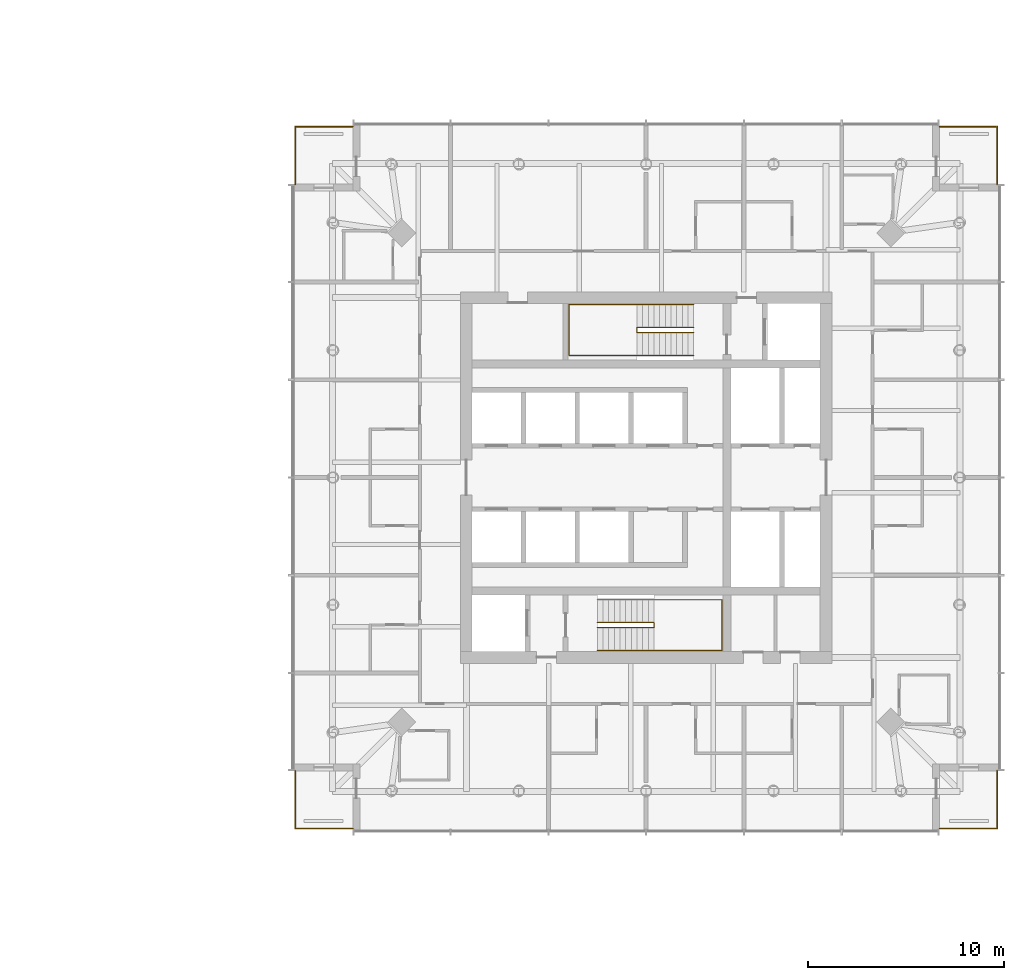
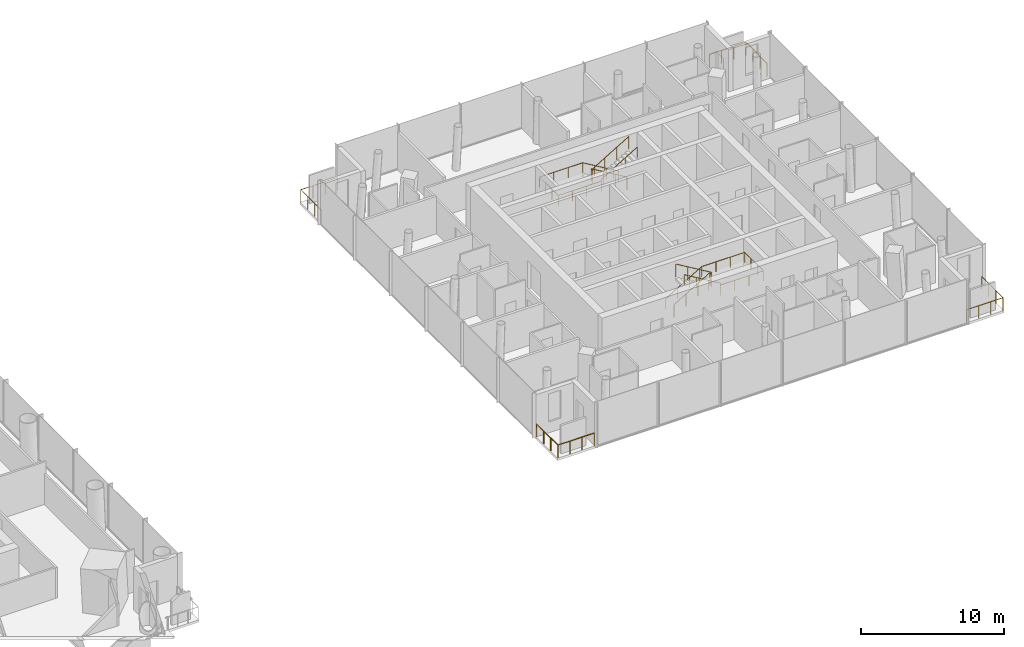
# One storey, part 26 of 27: 8 railings.
"""IFC4 building model written with IfcOpenShell, lengths in metres."""

from ifc_helpers import new_model, si_unit, direction, frame, origin, origin_2d, place, context, subcontext, project, spatial, circle, extrude, material, type_object, element, save


model = new_model("IFC4")

# Units and contexts
model_context = context("Model", 3, precision=1e-05, world=origin(), true_north=direction((0.0, 1.0)))
body_context = subcontext(model_context, "Body", "Model", "MODEL_VIEW")
ifc_project = project(units=[si_unit("LENGTHUNIT", "METRE"), si_unit("AREAUNIT", "SQUARE_METRE"), si_unit("VOLUMEUNIT", "CUBIC_METRE"), si_unit("PLANEANGLEUNIT", "RADIAN"), si_unit("MASSUNIT", "GRAM", prefix="KILO")], contexts=[model_context])

# Site, building, storey
site_placement = place(None, origin())
site = spatial("IfcSite", under=ifc_project, at=site_placement, CompositionType="ELEMENT")
building_placement = place(site_placement, origin())
building = spatial("IfcBuilding", under=site, at=building_placement, Name="Ostroluk Exchange", CompositionType="ELEMENT")
storey_placement = place(building_placement, frame((0.0, 0.0, 89.39990234375)))
storey = spatial("IfcBuildingStorey", under=building, at=storey_placement, Name="L22", CompositionType="ELEMENT", Elevation=89.39990234375)

# Railings
ifc_material_1 = material(Name="Stainless steel", Category="steel")
railing_type_1 = type_object("IfcRailingType", Name="Guard 1100 stainless steel", PredefinedType="GUARDRAIL", material=ifc_material_1)
railing_1_placement = place(storey_placement, frame((132.0, 28.050048828125, 0.0)))
element("IfcRailing", 1, at=railing_1_placement, inside=storey, type_object=railing_type_1, Name="Hotel tower SE balcony guard L22", PredefinedType="GUARDRAIL", context=body_context, shape_type="SweptSolid", body=[
    extrude(circle(Radius=0.02392578125, at=origin_2d()), frame((0.0, 0.0, 1.076171875), z_axis=(1.0, 0.0, 0.0), x_axis=(0.0, 1.0, 0.0)), (0.0, 0.0, 1.0), 2.949951171875),
    extrude(circle(Radius=0.02392578125, at=origin_2d()), frame((2.949951171875, 0.0, 1.076171875), z_axis=(0.0, 1.0, 0.0), x_axis=(-1.0, 0.0, 0.0)), (0.0, 0.0, 1.0), 2.949951171875),
    extrude(circle(Radius=0.02099609375, at=origin_2d()), origin(), (0.0, 0.0, 1.0), 1.052001953125),
    extrude(circle(Radius=0.02099609375, at=origin_2d()), frame((0.9833984375, 0.0, 0.0)), (0.0, 0.0, 1.0), 1.052001953125),
    extrude(circle(Radius=0.02099609375, at=origin_2d()), frame((1.966552734375, 0.0, 0.0)), (0.0, 0.0, 1.0), 1.052001953125),
    extrude(circle(Radius=0.02099609375, at=origin_2d()), frame((2.949951171875, 0.0, 0.0)), (0.0, 0.0, 1.0), 1.052001953125),
    extrude(circle(Radius=0.02099609375, at=origin_2d()), frame((2.949951171875, 0.9833984375, 0.0)), (0.0, 0.0, 1.0), 1.052001953125),
    extrude(circle(Radius=0.02099609375, at=origin_2d()), frame((2.949951171875, 1.966552734375, 0.0)), (0.0, 0.0, 1.0), 1.052001953125),
    extrude(circle(Radius=0.02099609375, at=origin_2d()), frame((2.949951171875, 2.949951171875, 0.0)), (0.0, 0.0, 1.0), 1.052001953125),
])
railing_2_placement = place(storey_placement, frame((132.0, 63.949951171875, 0.0)))
element("IfcRailing", 2, at=railing_2_placement, inside=storey, type_object=railing_type_1, Name="Hotel tower NE balcony guard L22", PredefinedType="GUARDRAIL", context=body_context, shape_type="SweptSolid", body=[
    extrude(circle(Radius=0.02392578125, at=origin_2d()), frame((0.0, 0.0, 1.076171875), z_axis=(1.0, 0.0, 0.0), x_axis=(0.0, 1.0, 0.0)), (0.0, 0.0, 1.0), 2.949951171875),
    extrude(circle(Radius=0.02392578125, at=origin_2d()), frame((2.949951171875, 0.0, 1.076171875), z_axis=(0.0, -1.0, 0.0), x_axis=(1.0, 0.0, 0.0)), (0.0, 0.0, 1.0), 2.949951171875),
    extrude(circle(Radius=0.02099609375, at=origin_2d()), origin(), (0.0, 0.0, 1.0), 1.052001953125),
    extrude(circle(Radius=0.02099609375, at=origin_2d()), frame((0.9833984375, 0.0, 0.0)), (0.0, 0.0, 1.0), 1.052001953125),
    extrude(circle(Radius=0.02099609375, at=origin_2d()), frame((1.966552734375, 0.0, 0.0)), (0.0, 0.0, 1.0), 1.052001953125),
    extrude(circle(Radius=0.02099609375, at=origin_2d()), frame((2.949951171875, 0.0, 0.0)), (0.0, 0.0, 1.0), 1.052001953125),
    extrude(circle(Radius=0.02099609375, at=origin_2d()), frame((2.949951171875, -0.9833984375, 0.0)), (0.0, 0.0, 1.0), 1.052001953125),
    extrude(circle(Radius=0.02099609375, at=origin_2d()), frame((2.949951171875, -1.966552734375, 0.0)), (0.0, 0.0, 1.0), 1.052001953125),
    extrude(circle(Radius=0.02099609375, at=origin_2d()), frame((2.949951171875, -2.949951171875, 0.0)), (0.0, 0.0, 1.0), 1.052001953125),
])
railing_3_placement = place(storey_placement, frame((102.0, 63.949951171875, 0.0)))
element("IfcRailing", 3, at=railing_3_placement, inside=storey, type_object=railing_type_1, Name="Hotel tower NW balcony guard L22", PredefinedType="GUARDRAIL", context=body_context, shape_type="SweptSolid", body=[
    extrude(circle(Radius=0.02392578125, at=origin_2d()), frame((0.0, 0.0, 1.076171875), z_axis=(-1.0, 0.0, 0.0), x_axis=(0.0, -1.0, 0.0)), (0.0, 0.0, 1.0), 2.949951171875),
    extrude(circle(Radius=0.02392578125, at=origin_2d()), frame((-2.949951171875, 0.0, 1.076171875), z_axis=(0.0, -1.0, 0.0), x_axis=(1.0, 0.0, 0.0)), (0.0, 0.0, 1.0), 2.949951171875),
    extrude(circle(Radius=0.02099609375, at=origin_2d()), origin(), (0.0, 0.0, 1.0), 1.052001953125),
    extrude(circle(Radius=0.02099609375, at=origin_2d()), frame((-0.9833984375, 0.0, 0.0)), (0.0, 0.0, 1.0), 1.052001953125),
    extrude(circle(Radius=0.02099609375, at=origin_2d()), frame((-1.966552734375, 0.0, 0.0)), (0.0, 0.0, 1.0), 1.052001953125),
    extrude(circle(Radius=0.02099609375, at=origin_2d()), frame((-2.949951171875, 0.0, 0.0)), (0.0, 0.0, 1.0), 1.052001953125),
    extrude(circle(Radius=0.02099609375, at=origin_2d()), frame((-2.949951171875, -0.9833984375, 0.0)), (0.0, 0.0, 1.0), 1.052001953125),
    extrude(circle(Radius=0.02099609375, at=origin_2d()), frame((-2.949951171875, -1.966552734375, 0.0)), (0.0, 0.0, 1.0), 1.052001953125),
    extrude(circle(Radius=0.02099609375, at=origin_2d()), frame((-2.949951171875, -2.949951171875, 0.0)), (0.0, 0.0, 1.0), 1.052001953125),
])
railing_4_placement = place(storey_placement, frame((102.0, 28.050048828125, 0.0)))
element("IfcRailing", 4, at=railing_4_placement, inside=storey, type_object=railing_type_1, Name="Hotel tower SW balcony guard L22", PredefinedType="GUARDRAIL", context=body_context, shape_type="SweptSolid", body=[
    extrude(circle(Radius=0.02392578125, at=origin_2d()), frame((0.0, 0.0, 1.076171875), z_axis=(-1.0, 0.0, 0.0), x_axis=(0.0, -1.0, 0.0)), (0.0, 0.0, 1.0), 2.949951171875),
    extrude(circle(Radius=0.02392578125, at=origin_2d()), frame((-2.949951171875, 0.0, 1.076171875), z_axis=(0.0, 1.0, 0.0), x_axis=(-1.0, 0.0, 0.0)), (0.0, 0.0, 1.0), 2.949951171875),
    extrude(circle(Radius=0.02099609375, at=origin_2d()), origin(), (0.0, 0.0, 1.0), 1.052001953125),
    extrude(circle(Radius=0.02099609375, at=origin_2d()), frame((-0.9833984375, 0.0, 0.0)), (0.0, 0.0, 1.0), 1.052001953125),
    extrude(circle(Radius=0.02099609375, at=origin_2d()), frame((-1.966552734375, 0.0, 0.0)), (0.0, 0.0, 1.0), 1.052001953125),
    extrude(circle(Radius=0.02099609375, at=origin_2d()), frame((-2.949951171875, 0.0, 0.0)), (0.0, 0.0, 1.0), 1.052001953125),
    extrude(circle(Radius=0.02099609375, at=origin_2d()), frame((-2.949951171875, 0.9833984375, 0.0)), (0.0, 0.0, 1.0), 1.052001953125),
    extrude(circle(Radius=0.02099609375, at=origin_2d()), frame((-2.949951171875, 1.966552734375, 0.0)), (0.0, 0.0, 1.0), 1.052001953125),
    extrude(circle(Radius=0.02099609375, at=origin_2d()), frame((-2.949951171875, 2.949951171875, 0.0)), (0.0, 0.0, 1.0), 1.052001953125),
])
ifc_material_2 = material(Name="Steel S355", Category="steel")
railing_type_2 = type_object("IfcRailingType", Name="Stair guard 1100", PredefinedType="GUARDRAIL", material=ifc_material_2)
railing_5_placement = place(storey_placement, frame((114.5, 38.580078125, 0.1728515625)))
element("IfcRailing", 5, at=railing_5_placement, inside=storey, type_object=railing_type_2, Name="Stair T2-S1 guard L22", PredefinedType="GUARDRAIL", context=body_context, shape_type="SweptSolid", body=[
    extrude(circle(Radius=0.02392578125, at=origin_2d()), frame((0.0, 0.0, 1.076171875), z_axis=(0.859141464434, 0.0, 0.511738159696), x_axis=(0.0, 1.0, 0.0)), (0.0, 0.0, 1.0), 3.375244140625),
    extrude(circle(Radius=0.02392578125, at=origin_2d()), frame((2.89990234375, 0.0, 2.80322265625), z_axis=(0.0, -1.0, 0.0), x_axis=(1.0, 0.0, 0.0)), (0.0, 0.0, 1.0), 0.260009765625),
    extrude(circle(Radius=0.02392578125, at=origin_2d()), frame((2.89990234375, -0.260009765625, 2.80322265625), z_axis=(0.0, 0.0, 1.0), x_axis=(1.0, 0.0, 0.0)), (0.0, 0.0, 1.0), 0.172607421875),
    extrude(circle(Radius=0.02392578125, at=origin_2d()), frame((2.89990234375, -0.260009765625, 2.97607421875), z_axis=(-0.859141464434, 0.0, 0.511738159696), x_axis=(0.0, -1.0, 0.0)), (0.0, 0.0, 1.0), 3.375244140625),
    extrude(circle(Radius=0.02099609375, at=origin_2d()), origin(), (0.0, 0.0, 1.0), 1.052001953125),
    extrude(circle(Radius=0.02099609375, at=origin_2d()), frame((0.966552734375, 0.0, 0.57568359375)), (0.0, 0.0, 1.0), 1.052001953125),
    extrude(circle(Radius=0.02099609375, at=origin_2d()), frame((1.933349609375, 0.0, 1.151611328125)), (0.0, 0.0, 1.0), 1.052001953125),
    extrude(circle(Radius=0.02099609375, at=origin_2d()), frame((2.89990234375, 0.0, 1.727294921875)), (0.0, 0.0, 1.0), 1.052001953125),
    extrude(circle(Radius=0.02099609375, at=origin_2d()), frame((2.89990234375, -0.260009765625, 1.727294921875)), (0.0, 0.0, 1.0), 1.052001953125),
    extrude(circle(Radius=0.02099609375, at=origin_2d()), frame((2.89990234375, -0.260009765625, 1.89990234375)), (0.0, 0.0, 1.0), 1.052001953125),
    extrude(circle(Radius=0.02099609375, at=origin_2d()), frame((1.933349609375, -0.260009765625, 2.4755859375)), (0.0, 0.0, 1.0), 1.052001953125),
    extrude(circle(Radius=0.02099609375, at=origin_2d()), frame((0.966552734375, -0.260009765625, 3.051513671875)), (0.0, 0.0, 1.0), 1.052001953125),
    extrude(circle(Radius=0.02099609375, at=origin_2d()), frame((0.0, -0.260009765625, 3.627197265625)), (0.0, 0.0, 1.0), 1.052001953125),
])
railing_6_placement = place(storey_placement, frame((119.429931640625, 53.679931640625, 0.1728515625)))
element("IfcRailing", 6, at=railing_6_placement, inside=storey, type_object=railing_type_2, Name="Stair T2-S2 guard L22", PredefinedType="GUARDRAIL", context=body_context, shape_type="SweptSolid", body=[
    extrude(circle(Radius=0.02392578125, at=origin_2d()), frame((0.0, 0.0, 1.076171875), z_axis=(-0.859141464434, 0.0, 0.511738159696), x_axis=(0.0, -1.0, 0.0)), (0.0, 0.0, 1.0), 3.375244140625),
    extrude(circle(Radius=0.02392578125, at=origin_2d()), frame((-2.89990234375, 0.0, 2.80322265625), z_axis=(0.0, -1.0, 0.0), x_axis=(1.0, 0.0, 0.0)), (0.0, 0.0, 1.0), 0.260009765625),
    extrude(circle(Radius=0.02392578125, at=origin_2d()), frame((-2.89990234375, -0.260009765625, 2.80322265625), z_axis=(0.0, 0.0, 1.0), x_axis=(1.0, 0.0, 0.0)), (0.0, 0.0, 1.0), 0.172607421875),
    extrude(circle(Radius=0.02392578125, at=origin_2d()), frame((-2.89990234375, -0.260009765625, 2.97607421875), z_axis=(0.859141464434, 0.0, 0.511738159696), x_axis=(0.0, 1.0, 0.0)), (0.0, 0.0, 1.0), 3.375244140625),
    extrude(circle(Radius=0.02099609375, at=origin_2d()), origin(), (0.0, 0.0, 1.0), 1.052001953125),
    extrude(circle(Radius=0.02099609375, at=origin_2d()), frame((-0.966552734375, 0.0, 0.57568359375)), (0.0, 0.0, 1.0), 1.052001953125),
    extrude(circle(Radius=0.02099609375, at=origin_2d()), frame((-1.933349609375, 0.0, 1.151611328125)), (0.0, 0.0, 1.0), 1.052001953125),
    extrude(circle(Radius=0.02099609375, at=origin_2d()), frame((-2.89990234375, 0.0, 1.727294921875)), (0.0, 0.0, 1.0), 1.052001953125),
    extrude(circle(Radius=0.02099609375, at=origin_2d()), frame((-2.89990234375, -0.260009765625, 1.727294921875)), (0.0, 0.0, 1.0), 1.052001953125),
    extrude(circle(Radius=0.02099609375, at=origin_2d()), frame((-2.89990234375, -0.260009765625, 1.89990234375)), (0.0, 0.0, 1.0), 1.052001953125),
    extrude(circle(Radius=0.02099609375, at=origin_2d()), frame((-1.933349609375, -0.260009765625, 2.4755859375)), (0.0, 0.0, 1.0), 1.052001953125),
    extrude(circle(Radius=0.02099609375, at=origin_2d()), frame((-0.966552734375, -0.260009765625, 3.051513671875)), (0.0, 0.0, 1.0), 1.052001953125),
    extrude(circle(Radius=0.02099609375, at=origin_2d()), frame((0.0, -0.260009765625, 3.627197265625)), (0.0, 0.0, 1.0), 1.052001953125),
])
ifc_material_3 = material(Name="Stainless steel", Category="steel")
railing_type_3 = type_object("IfcRailingType", Name="Stair handrail 900", PredefinedType="HANDRAIL", material=ifc_material_3)
railing_7_placement = place(storey_placement, frame((114.5, 39.75, 0.1728515625)))
element("IfcRailing", 7, at=railing_7_placement, inside=storey, type_object=railing_type_3, Name="Stair T2-S1 handrail L22", PredefinedType="HANDRAIL", context=body_context, shape_type="SweptSolid", body=[
    extrude(circle(Radius=0.02392578125, at=origin_2d()), frame((0.0, 0.0, 0.8759765625), z_axis=(0.859141464434, 0.0, 0.511738159696), x_axis=(0.0, 1.0, 0.0)), (0.0, 0.0, 1.0), 3.375244140625),
    extrude(circle(Radius=0.02392578125, at=origin_2d()), frame((2.89990234375, 0.0, 2.60302734375), z_axis=(1.0, 0.0, 0.0), x_axis=(0.0, 1.0, 0.0)), (0.0, 0.0, 1.0), 3.47998046875),
    extrude(circle(Radius=0.02392578125, at=origin_2d()), frame((6.3798828125, 0.0, 2.60302734375), z_axis=(0.0, -1.0, 0.0), x_axis=(1.0, 0.0, 0.0)), (0.0, 0.0, 1.0), 2.60009765625),
    extrude(circle(Radius=0.02392578125, at=origin_2d()), frame((6.3798828125, -2.60009765625, 2.60302734375), z_axis=(-1.0, 0.0, 0.0), x_axis=(0.0, -1.0, 0.0)), (0.0, 0.0, 1.0), 3.47998046875),
    extrude(circle(Radius=0.02392578125, at=origin_2d()), frame((2.89990234375, -2.60009765625, 2.60302734375), z_axis=(0.0, 0.0, 1.0), x_axis=(1.0, 0.0, 0.0)), (0.0, 0.0, 1.0), 0.172607421875),
    extrude(circle(Radius=0.02392578125, at=origin_2d()), frame((2.89990234375, -2.60009765625, 2.77587890625), z_axis=(-0.859141464434, 0.0, 0.511738159696), x_axis=(0.0, -1.0, 0.0)), (0.0, 0.0, 1.0), 3.375244140625),
    extrude(circle(Radius=0.02099609375, at=origin_2d()), origin(), (0.0, 0.0, 1.0), 0.851806640625),
    extrude(circle(Radius=0.02099609375, at=origin_2d()), frame((0.966552734375, 0.0, 0.57568359375)), (0.0, 0.0, 1.0), 0.851806640625),
    extrude(circle(Radius=0.02099609375, at=origin_2d()), frame((1.933349609375, 0.0, 1.151611328125)), (0.0, 0.0, 1.0), 0.851806640625),
    extrude(circle(Radius=0.02099609375, at=origin_2d()), frame((2.89990234375, 0.0, 1.727294921875)), (0.0, 0.0, 1.0), 0.851806640625),
    extrude(circle(Radius=0.02099609375, at=origin_2d()), frame((4.059814453125, 0.0, 1.727294921875)), (0.0, 0.0, 1.0), 0.851806640625),
    extrude(circle(Radius=0.02099609375, at=origin_2d()), frame((5.219970703125, 0.0, 1.727294921875)), (0.0, 0.0, 1.0), 0.851806640625),
    extrude(circle(Radius=0.02099609375, at=origin_2d()), frame((6.3798828125, 0.0, 1.727294921875)), (0.0, 0.0, 1.0), 0.851806640625),
    extrude(circle(Radius=0.02099609375, at=origin_2d()), frame((6.3798828125, -0.86669921875, 1.727294921875)), (0.0, 0.0, 1.0), 0.851806640625),
    extrude(circle(Radius=0.02099609375, at=origin_2d()), frame((6.3798828125, -1.7333984375, 1.727294921875)), (0.0, 0.0, 1.0), 0.851806640625),
    extrude(circle(Radius=0.02099609375, at=origin_2d()), frame((6.3798828125, -2.60009765625, 1.727294921875)), (0.0, 0.0, 1.0), 0.851806640625),
    extrude(circle(Radius=0.02099609375, at=origin_2d()), frame((5.219970703125, -2.60009765625, 1.727294921875)), (0.0, 0.0, 1.0), 0.851806640625),
    extrude(circle(Radius=0.02099609375, at=origin_2d()), frame((4.059814453125, -2.60009765625, 1.727294921875)), (0.0, 0.0, 1.0), 0.851806640625),
    extrude(circle(Radius=0.02099609375, at=origin_2d()), frame((2.89990234375, -2.60009765625, 1.727294921875)), (0.0, 0.0, 1.0), 0.851806640625),
    extrude(circle(Radius=0.02099609375, at=origin_2d()), frame((2.89990234375, -2.60009765625, 1.89990234375)), (0.0, 0.0, 1.0), 0.851806640625),
    extrude(circle(Radius=0.02099609375, at=origin_2d()), frame((1.933349609375, -2.60009765625, 2.4755859375)), (0.0, 0.0, 1.0), 0.851806640625),
    extrude(circle(Radius=0.02099609375, at=origin_2d()), frame((0.966552734375, -2.60009765625, 3.051513671875)), (0.0, 0.0, 1.0), 0.851806640625),
    extrude(circle(Radius=0.02099609375, at=origin_2d()), frame((0.0, -2.60009765625, 3.627197265625)), (0.0, 0.0, 1.0), 0.851806640625),
])
railing_8_placement = place(storey_placement, frame((119.429931640625, 54.85009765625, 0.1728515625)))
element("IfcRailing", 8, at=railing_8_placement, inside=storey, type_object=railing_type_3, Name="Stair T2-S2 handrail L22", PredefinedType="HANDRAIL", context=body_context, shape_type="SweptSolid", body=[
    extrude(circle(Radius=0.02392578125, at=origin_2d()), frame((0.0, 0.0, 0.8759765625), z_axis=(-0.859141464434, 0.0, 0.511738159696), x_axis=(0.0, -1.0, 0.0)), (0.0, 0.0, 1.0), 3.375244140625),
    extrude(circle(Radius=0.02392578125, at=origin_2d()), frame((-2.89990234375, 0.0, 2.60302734375), z_axis=(-1.0, 0.0, 0.0), x_axis=(0.0, -1.0, 0.0)), (0.0, 0.0, 1.0), 3.47998046875),
    extrude(circle(Radius=0.02392578125, at=origin_2d()), frame((-6.3798828125, 0.0, 2.60302734375), z_axis=(0.0, -1.0, 0.0), x_axis=(1.0, 0.0, 0.0)), (0.0, 0.0, 1.0), 2.60009765625),
    extrude(circle(Radius=0.02392578125, at=origin_2d()), frame((-6.3798828125, -2.60009765625, 2.60302734375), z_axis=(1.0, 0.0, 0.0), x_axis=(0.0, 1.0, 0.0)), (0.0, 0.0, 1.0), 3.47998046875),
    extrude(circle(Radius=0.02392578125, at=origin_2d()), frame((-2.89990234375, -2.60009765625, 2.60302734375), z_axis=(0.0, 0.0, 1.0), x_axis=(1.0, 0.0, 0.0)), (0.0, 0.0, 1.0), 0.172607421875),
    extrude(circle(Radius=0.02392578125, at=origin_2d()), frame((-2.89990234375, -2.60009765625, 2.77587890625), z_axis=(0.859141464434, 0.0, 0.511738159696), x_axis=(0.0, 1.0, 0.0)), (0.0, 0.0, 1.0), 3.375244140625),
    extrude(circle(Radius=0.02099609375, at=origin_2d()), origin(), (0.0, 0.0, 1.0), 0.851806640625),
    extrude(circle(Radius=0.02099609375, at=origin_2d()), frame((-0.966552734375, 0.0, 0.57568359375)), (0.0, 0.0, 1.0), 0.851806640625),
    extrude(circle(Radius=0.02099609375, at=origin_2d()), frame((-1.933349609375, 0.0, 1.151611328125)), (0.0, 0.0, 1.0), 0.851806640625),
    extrude(circle(Radius=0.02099609375, at=origin_2d()), frame((-2.89990234375, 0.0, 1.727294921875)), (0.0, 0.0, 1.0), 0.851806640625),
    extrude(circle(Radius=0.02099609375, at=origin_2d()), frame((-4.059814453125, 0.0, 1.727294921875)), (0.0, 0.0, 1.0), 0.851806640625),
    extrude(circle(Radius=0.02099609375, at=origin_2d()), frame((-5.219970703125, 0.0, 1.727294921875)), (0.0, 0.0, 1.0), 0.851806640625),
    extrude(circle(Radius=0.02099609375, at=origin_2d()), frame((-6.3798828125, 0.0, 1.727294921875)), (0.0, 0.0, 1.0), 0.851806640625),
    extrude(circle(Radius=0.02099609375, at=origin_2d()), frame((-6.3798828125, -0.86669921875, 1.727294921875)), (0.0, 0.0, 1.0), 0.851806640625),
    extrude(circle(Radius=0.02099609375, at=origin_2d()), frame((-6.3798828125, -1.7333984375, 1.727294921875)), (0.0, 0.0, 1.0), 0.851806640625),
    extrude(circle(Radius=0.02099609375, at=origin_2d()), frame((-6.3798828125, -2.60009765625, 1.727294921875)), (0.0, 0.0, 1.0), 0.851806640625),
    extrude(circle(Radius=0.02099609375, at=origin_2d()), frame((-5.219970703125, -2.60009765625, 1.727294921875)), (0.0, 0.0, 1.0), 0.851806640625),
    extrude(circle(Radius=0.02099609375, at=origin_2d()), frame((-4.059814453125, -2.60009765625, 1.727294921875)), (0.0, 0.0, 1.0), 0.851806640625),
    extrude(circle(Radius=0.02099609375, at=origin_2d()), frame((-2.89990234375, -2.60009765625, 1.727294921875)), (0.0, 0.0, 1.0), 0.851806640625),
    extrude(circle(Radius=0.02099609375, at=origin_2d()), frame((-2.89990234375, -2.60009765625, 1.89990234375)), (0.0, 0.0, 1.0), 0.851806640625),
    extrude(circle(Radius=0.02099609375, at=origin_2d()), frame((-1.933349609375, -2.60009765625, 2.4755859375)), (0.0, 0.0, 1.0), 0.851806640625),
    extrude(circle(Radius=0.02099609375, at=origin_2d()), frame((-0.966552734375, -2.60009765625, 3.051513671875)), (0.0, 0.0, 1.0), 0.851806640625),
    extrude(circle(Radius=0.02099609375, at=origin_2d()), frame((0.0, -2.60009765625, 3.627197265625)), (0.0, 0.0, 1.0), 0.851806640625),
])

save(model, "model.ifc")
